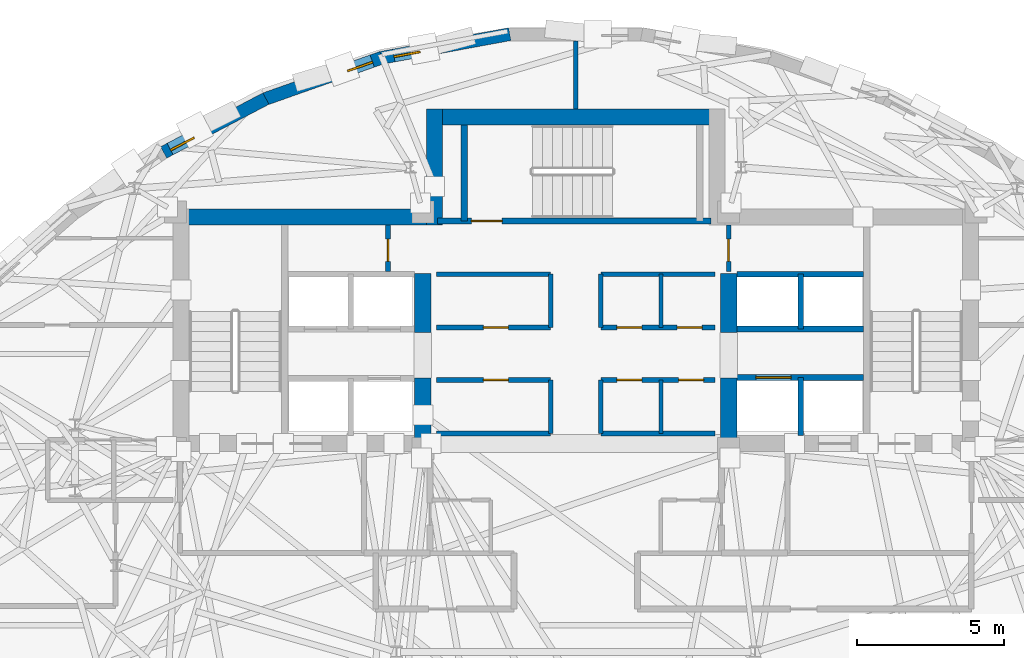
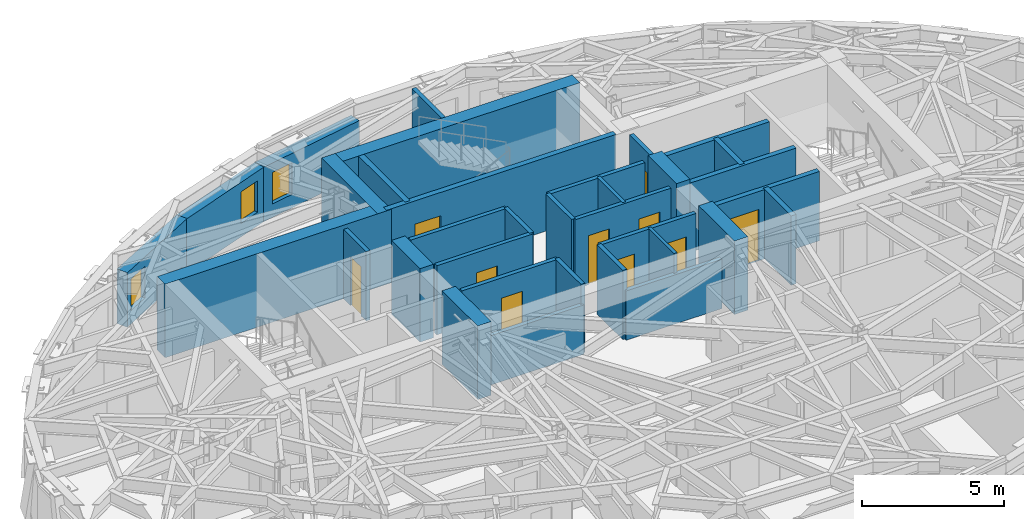
# One storey, part 8 of 13: 34 walls, 10 doors, 3 windows, 13 openings.
"""IFC4 building model written with IfcOpenShell, lengths in metres."""

from ifc_helpers import new_model, si_unit, direction, frame, frame_2d, origin, place, context, subcontext, project, spatial, rectangle, extrude, material, layer, layer_set, type_object, element, fill, save


model = new_model("IFC4")

# Units and contexts
model_context = context("Model", 3, precision=1e-05, world=origin(), true_north=direction((0.0, 1.0)))
body_context = subcontext(model_context, "Body", "Model", "MODEL_VIEW")
ifc_project = project(units=[si_unit("LENGTHUNIT", "METRE"), si_unit("AREAUNIT", "SQUARE_METRE"), si_unit("VOLUMEUNIT", "CUBIC_METRE"), si_unit("PLANEANGLEUNIT", "RADIAN"), si_unit("MASSUNIT", "GRAM", prefix="KILO")], contexts=[model_context])

# Site, building, storey
site_placement = place(None, origin())
site = spatial("IfcSite", under=ifc_project, at=site_placement, CompositionType="ELEMENT")
building_placement = place(site_placement, origin())
building = spatial("IfcBuilding", under=site, at=building_placement, Name="Keldmark Tower", CompositionType="ELEMENT")
storey_placement = place(building_placement, frame((0.0, 0.0, 219.449951171875)))
storey = spatial("IfcBuildingStorey", under=building, at=storey_placement, Name="L61", CompositionType="ELEMENT", Elevation=219.449951171875)

# Walls
ifc_material_1 = material(Name="Concrete C50/60", Category="concrete")
ifc_layer_1 = layer(ifc_material_1, 0.550048828125)
ifc_layer_set_1 = layer_set([ifc_layer_1], Name="Concrete C50/60")
wall_type_1 = type_object("IfcWallType", Name="High-Rise Core Shear Wall 550 mm", PredefinedType="SHEAR", material=ifc_layer_set_1)
wall_1_placement = place(storey_placement, frame((-13.699951171875, 9.27490234375, 0.0), z_axis=(0.0, 0.0, 1.0), x_axis=(1.0, 0.0, 0.0)))
element("IfcWall", 1, at=wall_1_placement, inside=storey, type_object=wall_type_1, Name="L61 West Core North Shear Wall", PredefinedType="SHEAR", context=body_context, shape_type="SweptSolid", body=[
    extrude(rectangle(XDim=9.175048828125, YDim=0.550048828125, at=frame_2d((4.58740234375, 0.0))), origin(), (0.0, 0.0, 1.0), 3.150146484375),
])
wall_2_placement = place(storey_placement, frame((-5.199951171875, 1.300048828125, 0.0), z_axis=(0.0, 0.0, 1.0), x_axis=(0.0, 1.0, 0.0)))
element("IfcWall", 2, at=wall_2_placement, inside=storey, type_object=wall_type_1, Name="L61 West Core Inner Shear Pier South", PredefinedType="SHEAR", context=body_context, shape_type="SweptSolid", body=[
    extrude(rectangle(XDim=2.5, YDim=0.550048828125, at=frame_2d((1.25, 0.0))), origin(), (0.0, 0.0, 1.0), 3.150146484375),
])
wall_3_placement = place(storey_placement, frame((-5.199951171875, 5.35009765625, 0.0), z_axis=(0.0, 0.0, 1.0), x_axis=(0.0, 1.0, 0.0)))
element("IfcWall", 3, at=wall_3_placement, inside=storey, type_object=wall_type_1, Name="L61 West Core Inner Shear Pier North", PredefinedType="SHEAR", context=body_context, shape_type="SweptSolid", body=[
    extrude(rectangle(XDim=2.0, YDim=0.550048828125, at=frame_2d((1.0, 0.0))), origin(), (0.0, 0.0, 1.0), 3.150146484375),
])
wall_4_placement = place(storey_placement, frame((5.199951171875, 1.300048828125, 0.0), z_axis=(0.0, 0.0, 1.0), x_axis=(0.0, 1.0, 0.0)))
element("IfcWall", 4, at=wall_4_placement, inside=storey, type_object=wall_type_1, Name="L61 East Core Inner Shear Pier South", PredefinedType="SHEAR", context=body_context, shape_type="SweptSolid", body=[
    extrude(rectangle(XDim=2.5, YDim=0.550048828125, at=frame_2d((1.25, 0.0))), origin(), (0.0, 0.0, 1.0), 3.150146484375),
])
wall_5_placement = place(storey_placement, frame((5.199951171875, 5.35009765625, 0.0), z_axis=(0.0, 0.0, 1.0), x_axis=(0.0, 1.0, 0.0)))
element("IfcWall", 5, at=wall_5_placement, inside=storey, type_object=wall_type_1, Name="L61 East Core Inner Shear Pier North", PredefinedType="SHEAR", context=body_context, shape_type="SweptSolid", body=[
    extrude(rectangle(XDim=2.0, YDim=0.550048828125, at=frame_2d((1.0, 0.0))), origin(), (0.0, 0.0, 1.0), 3.150146484375),
])
wall_6_placement = place(storey_placement, frame((-5.074951171875, 12.675048828125, 0.0), z_axis=(0.0, 0.0, 1.0), x_axis=(1.0, 0.0, 0.0)))
element("IfcWall", 6, at=wall_6_placement, inside=storey, type_object=wall_type_1, Name="L61 North Core Shear Wall", PredefinedType="SHEAR", context=body_context, shape_type="SweptSolid", body=[
    extrude(rectangle(XDim=10.14990234375, YDim=0.550048828125, at=frame_2d((5.074951171875, 0.0))), origin(), (0.0, 0.0, 1.0), 3.150146484375),
])
wall_7_placement = place(storey_placement, frame((-4.800048828125, 9.0, 0.0), z_axis=(0.0, 0.0, 1.0), x_axis=(0.0, 1.0, 0.0)))
element("IfcWall", 7, at=wall_7_placement, inside=storey, type_object=wall_type_1, Name="L61 North Core West Shear Wall", PredefinedType="SHEAR", context=body_context, shape_type="SweptSolid", body=[
    extrude(rectangle(XDim=3.949951171875, YDim=0.550048828125, at=frame_2d((1.97509765625, 0.0))), origin(), (0.0, 0.0, 1.0), 3.150146484375),
])
ifc_material_2 = material(Name="Acoustic Gypsum Board Interior Partition", Category="gypsum")
ifc_layer_2 = layer(ifc_material_2, 0.1298828125)
ifc_layer_set_2 = layer_set([ifc_layer_2], Name="Acoustic Gypsum Board Interior Partition")
wall_type_2 = type_object("IfcWallType", Name="Interior Partition 130 mm", PredefinedType="PARTITIONING", material=ifc_layer_set_2)
wall_8_placement = place(storey_placement, frame((2.89990234375, 1.919921875, 0.0), z_axis=(0.0, 0.0, 1.0), x_axis=(0.0, 1.0, 0.0)))
element("IfcWall", 8, at=wall_8_placement, inside=storey, type_object=wall_type_2, Name="L61 Interior Partition 130 mm REC-LE-M", PredefinedType="PARTITIONING", context=body_context, shape_type="SweptSolid", body=[
    extrude(rectangle(XDim=1.820068359375, YDim=0.1298828125, at=frame_2d((0.91015625, 0.0))), origin(), (0.0, 0.0, 1.0), 2.969970703125),
])
wall_9_placement = place(storey_placement, frame((2.89990234375, 5.52001953125, 0.0), z_axis=(0.0, 0.0, 1.0), x_axis=(0.0, 1.0, 0.0)))
element("IfcWall", 9, at=wall_9_placement, inside=storey, type_object=wall_type_2, Name="L61 Interior Partition 130 mm REC-ME-M", PredefinedType="PARTITIONING", context=body_context, shape_type="SweptSolid", body=[
    extrude(rectangle(XDim=1.81005859375, YDim=0.1298828125, at=frame_2d((0.905029296875, 0.0))), origin(), (0.0, 0.0, 1.0), 2.969970703125),
])
ifc_material_3 = material(Name="Type X Fire-Rated Gypsum Partition Assembly", Category="gypsum")
ifc_layer_3 = layer(ifc_material_3, 0.1650390625)
ifc_layer_set_3 = layer_set([ifc_layer_3], Name="Type X Fire-Rated Gypsum Partition Assembly")
wall_type_3 = type_object("IfcWallType", Name="Rated Partition 165 mm", PredefinedType="PARTITIONING", material=ifc_layer_set_3)
wall_10_placement = place(storey_placement, frame((-4.739990234375, 1.919921875, 0.0), z_axis=(0.0, 0.0, 1.0), x_axis=(1.0, 0.0, 0.0)))
element("IfcWall", 10, at=wall_10_placement, inside=storey, type_object=wall_type_3, Name="L61 Rated Partition 165 mm REC-LW-S", PredefinedType="PARTITIONING", context=body_context, shape_type="SweptSolid", body=[
    extrude(rectangle(XDim=3.889892578125, YDim=0.1650390625, at=frame_2d((1.94482421875, 0.0))), origin(), (0.0, 0.0, 1.0), 2.110107421875),
])

# Wall, opening, door
wall_11_placement = place(storey_placement, frame((-4.739990234375, 3.739990234375, 0.0), z_axis=(0.0, 0.0, 1.0), x_axis=(1.0, 0.0, 0.0)))
wall_11 = element("IfcWall", 11, at=wall_11_placement, inside=storey, type_object=wall_type_3, Name="L61 Rated Partition 165 mm REC-LW-N", PredefinedType="PARTITIONING", context=body_context, shape_type="SweptSolid", body=[
    extrude(rectangle(XDim=3.889892578125, YDim=0.1650390625, at=frame_2d((1.94482421875, 0.0))), origin(), (0.0, 0.0, 1.0), 2.969970703125),
])
opening_1_placement = place(wall_11_placement, frame((1.60009765625, 0.0, 0.0)))
opening_1 = element("IfcOpeningElement", 12, at=opening_1_placement, cuts=wall_11, Name="Opening D-SV085", PredefinedType="OPENING", context=body_context, shape_type="SweptSolid", body=[
    extrude(rectangle(XDim=0.85009765625, YDim=2.10009765625, at=frame_2d((0.425048828125, 1.050048828125))), frame((0.0, 0.092529296875, 0.0), z_axis=(0.0, -1.0, 0.0), x_axis=(1.0, 0.0, 0.0)), (0.0, 0.0, 1.0), 0.18505859375),
])
ifc_material_4 = material(Name="Painted Hollow Metal Door Assembly", Category="metal")
door_type_1 = type_object("IfcDoorType", Name="Service Door 850x2100", OperationType="NOTDEFINED", PredefinedType="DOOR", material=ifc_material_4)
door_1_placement = place(opening_1_placement, origin())
door_1 = element("IfcDoor", 13, at=door_1_placement, inside=storey, type_object=door_type_1, Name="L61 Service Door 850x2100 D-RECLW1-L61", OperationType="SINGLE_SWING_LEFT", OverallHeight=2.10009765625, OverallWidth=0.85009765625, PredefinedType="DOOR", context=body_context, shape_type="SweptSolid", body=[
    extrude(rectangle(XDim=0.85009765625, YDim=2.10009765625, at=frame_2d((0.425048828125, 1.050048828125))), frame((0.0, 0.02490234375, 0.0), z_axis=(0.0, -1.0, 0.0), x_axis=(1.0, 0.0, 0.0)), (0.0, 0.0, 1.0), 0.050048828125),
])
fill(opening_1, door_1)

# Walls
wall_12_placement = place(storey_placement, frame((-0.85009765625, 1.919921875, 0.0), z_axis=(0.0, 0.0, 1.0), x_axis=(0.0, 1.0, 0.0)))
element("IfcWall", 14, at=wall_12_placement, inside=storey, type_object=wall_type_3, Name="L61 Rated Partition 165 mm REC-LW-E", PredefinedType="PARTITIONING", context=body_context, shape_type="SweptSolid", body=[
    extrude(rectangle(XDim=1.820068359375, YDim=0.1650390625, at=frame_2d((0.91015625, 0.0))), origin(), (0.0, 0.0, 1.0), 2.969970703125),
])
wall_13_placement = place(storey_placement, frame((0.85009765625, 1.919921875, 0.0), z_axis=(0.0, 0.0, 1.0), x_axis=(1.0, 0.0, 0.0)))
element("IfcWall", 15, at=wall_13_placement, inside=storey, type_object=wall_type_3, Name="L61 Rated Partition 165 mm REC-LE-S", PredefinedType="PARTITIONING", context=body_context, shape_type="SweptSolid", body=[
    extrude(rectangle(XDim=3.889892578125, YDim=0.1650390625, at=frame_2d((1.94482421875, 0.0))), origin(), (0.0, 0.0, 1.0), 2.110107421875),
])

# Wall, openings, doors
wall_14_placement = place(storey_placement, frame((0.85009765625, 3.739990234375, 0.0), z_axis=(0.0, 0.0, 1.0), x_axis=(1.0, 0.0, 0.0)))
wall_14 = element("IfcWall", 16, at=wall_14_placement, inside=storey, type_object=wall_type_3, Name="L61 Rated Partition 165 mm REC-LE-N", PredefinedType="PARTITIONING", context=body_context, shape_type="SweptSolid", body=[
    extrude(rectangle(XDim=3.889892578125, YDim=0.1650390625, at=frame_2d((1.94482421875, 0.0))), origin(), (0.0, 0.0, 1.0), 2.969970703125),
])
opening_2_placement = place(wall_14_placement, frame((0.550048828125, 0.0, 0.0)))
opening_2 = element("IfcOpeningElement", 17, at=opening_2_placement, cuts=wall_14, Name="Opening D-SV085", PredefinedType="OPENING", context=body_context, shape_type="SweptSolid", body=[
    extrude(rectangle(XDim=0.85009765625, YDim=2.10009765625, at=frame_2d((0.425048828125, 1.050048828125))), frame((0.0, 0.092529296875, 0.0), z_axis=(0.0, -1.0, 0.0), x_axis=(1.0, 0.0, 0.0)), (0.0, 0.0, 1.0), 0.18505859375),
])
opening_3_placement = place(wall_14_placement, frame((2.64990234375, 0.0, 0.0)))
opening_3 = element("IfcOpeningElement", 18, at=opening_3_placement, cuts=wall_14, Name="Opening D-SV085", PredefinedType="OPENING", context=body_context, shape_type="SweptSolid", body=[
    extrude(rectangle(XDim=0.85009765625, YDim=2.10009765625, at=frame_2d((0.425048828125, 1.050048828125))), frame((0.0, 0.092529296875, 0.0), z_axis=(0.0, -1.0, 0.0), x_axis=(1.0, 0.0, 0.0)), (0.0, 0.0, 1.0), 0.18505859375),
])
door_2_placement = place(opening_2_placement, origin())
door_2 = element("IfcDoor", 19, at=door_2_placement, inside=storey, type_object=door_type_1, Name="L61 Service Door 850x2100 D-RECLE1-L61", OperationType="SINGLE_SWING_RIGHT", OverallHeight=2.10009765625, OverallWidth=0.85009765625, PredefinedType="DOOR", context=body_context, shape_type="SweptSolid", body=[
    extrude(rectangle(XDim=0.85009765625, YDim=2.10009765625, at=frame_2d((0.425048828125, 1.050048828125))), frame((0.0, 0.02490234375, 0.0), z_axis=(0.0, -1.0, 0.0), x_axis=(1.0, 0.0, 0.0)), (0.0, 0.0, 1.0), 0.050048828125),
])
fill(opening_2, door_2)
door_3_placement = place(opening_3_placement, origin())
door_3 = element("IfcDoor", 20, at=door_3_placement, inside=storey, type_object=door_type_1, Name="L61 Service Door 850x2100 D-RECLE2-L61", OperationType="SINGLE_SWING_RIGHT", OverallHeight=2.10009765625, OverallWidth=0.85009765625, PredefinedType="DOOR", context=body_context, shape_type="SweptSolid", body=[
    extrude(rectangle(XDim=0.85009765625, YDim=2.10009765625, at=frame_2d((0.425048828125, 1.050048828125))), frame((0.0, 0.02490234375, 0.0), z_axis=(0.0, -1.0, 0.0), x_axis=(1.0, 0.0, 0.0)), (0.0, 0.0, 1.0), 0.050048828125),
])
fill(opening_3, door_3)

# Wall
wall_15_placement = place(storey_placement, frame((0.85009765625, 1.919921875, 0.0), z_axis=(0.0, 0.0, 1.0), x_axis=(0.0, 1.0, 0.0)))
element("IfcWall", 21, at=wall_15_placement, inside=storey, type_object=wall_type_3, Name="L61 Rated Partition 165 mm REC-LE-W", PredefinedType="PARTITIONING", context=body_context, shape_type="SweptSolid", body=[
    extrude(rectangle(XDim=1.820068359375, YDim=0.1650390625, at=frame_2d((0.91015625, 0.0))), origin(), (0.0, 0.0, 1.0), 2.969970703125),
])

# Wall, opening, door
wall_16_placement = place(storey_placement, frame((-4.739990234375, 5.52001953125, 0.0), z_axis=(0.0, 0.0, 1.0), x_axis=(1.0, 0.0, 0.0)))
wall_16 = element("IfcWall", 22, at=wall_16_placement, inside=storey, type_object=wall_type_3, Name="L61 Rated Partition 165 mm REC-MW-S", PredefinedType="PARTITIONING", context=body_context, shape_type="SweptSolid", body=[
    extrude(rectangle(XDim=3.889892578125, YDim=0.1650390625, at=frame_2d((1.94482421875, 0.0))), origin(), (0.0, 0.0, 1.0), 2.969970703125),
])
opening_4_placement = place(wall_16_placement, frame((1.60009765625, 0.0, 0.0)))
opening_4 = element("IfcOpeningElement", 23, at=opening_4_placement, cuts=wall_16, Name="Opening D-SV085", PredefinedType="OPENING", context=body_context, shape_type="SweptSolid", body=[
    extrude(rectangle(XDim=0.85009765625, YDim=2.10009765625, at=frame_2d((0.425048828125, 1.050048828125))), frame((0.0, 0.092529296875, 0.0), z_axis=(0.0, -1.0, 0.0), x_axis=(1.0, 0.0, 0.0)), (0.0, 0.0, 1.0), 0.18505859375),
])
door_4_placement = place(opening_4_placement, origin())
door_4 = element("IfcDoor", 24, at=door_4_placement, inside=storey, type_object=door_type_1, Name="L61 Service Door 850x2100 D-RECMW1-L61", OperationType="SINGLE_SWING_LEFT", OverallHeight=2.10009765625, OverallWidth=0.85009765625, PredefinedType="DOOR", context=body_context, shape_type="SweptSolid", body=[
    extrude(rectangle(XDim=0.85009765625, YDim=2.10009765625, at=frame_2d((0.425048828125, 1.050048828125))), frame((0.0, 0.02490234375, 0.0), z_axis=(0.0, -1.0, 0.0), x_axis=(1.0, 0.0, 0.0)), (0.0, 0.0, 1.0), 0.050048828125),
])
fill(opening_4, door_4)

# Walls
wall_17_placement = place(storey_placement, frame((-4.739990234375, 7.330078125, 0.0), z_axis=(0.0, 0.0, 1.0), x_axis=(1.0, 0.0, 0.0)))
element("IfcWall", 25, at=wall_17_placement, inside=storey, type_object=wall_type_3, Name="L61 Rated Partition 165 mm REC-MW-N", PredefinedType="PARTITIONING", context=body_context, shape_type="SweptSolid", body=[
    extrude(rectangle(XDim=3.889892578125, YDim=0.1650390625, at=frame_2d((1.94482421875, 0.0))), origin(), (0.0, 0.0, 1.0), 2.969970703125),
])
wall_18_placement = place(storey_placement, frame((-0.85009765625, 5.52001953125, 0.0), z_axis=(0.0, 0.0, 1.0), x_axis=(0.0, 1.0, 0.0)))
element("IfcWall", 26, at=wall_18_placement, inside=storey, type_object=wall_type_3, Name="L61 Rated Partition 165 mm REC-MW-E", PredefinedType="PARTITIONING", context=body_context, shape_type="SweptSolid", body=[
    extrude(rectangle(XDim=1.81005859375, YDim=0.1650390625, at=frame_2d((0.905029296875, 0.0))), origin(), (0.0, 0.0, 1.0), 2.969970703125),
])

# Wall, openings, doors
wall_19_placement = place(storey_placement, frame((0.85009765625, 5.52001953125, 0.0), z_axis=(0.0, 0.0, 1.0), x_axis=(1.0, 0.0, 0.0)))
wall_19 = element("IfcWall", 27, at=wall_19_placement, inside=storey, type_object=wall_type_3, Name="L61 Rated Partition 165 mm REC-ME-S", PredefinedType="PARTITIONING", context=body_context, shape_type="SweptSolid", body=[
    extrude(rectangle(XDim=3.889892578125, YDim=0.1650390625, at=frame_2d((1.94482421875, 0.0))), origin(), (0.0, 0.0, 1.0), 2.969970703125),
])
opening_5_placement = place(wall_19_placement, frame((0.550048828125, 0.0, 0.0)))
opening_5 = element("IfcOpeningElement", 28, at=opening_5_placement, cuts=wall_19, Name="Opening D-SV085", PredefinedType="OPENING", context=body_context, shape_type="SweptSolid", body=[
    extrude(rectangle(XDim=0.85009765625, YDim=2.10009765625, at=frame_2d((0.425048828125, 1.050048828125))), frame((0.0, 0.092529296875, 0.0), z_axis=(0.0, -1.0, 0.0), x_axis=(1.0, 0.0, 0.0)), (0.0, 0.0, 1.0), 0.18505859375),
])
opening_6_placement = place(wall_19_placement, frame((2.60009765625, 0.0, 0.0)))
opening_6 = element("IfcOpeningElement", 29, at=opening_6_placement, cuts=wall_19, Name="Opening D-SV085", PredefinedType="OPENING", context=body_context, shape_type="SweptSolid", body=[
    extrude(rectangle(XDim=0.85009765625, YDim=2.10009765625, at=frame_2d((0.425048828125, 1.050048828125))), frame((0.0, 0.092529296875, 0.0), z_axis=(0.0, -1.0, 0.0), x_axis=(1.0, 0.0, 0.0)), (0.0, 0.0, 1.0), 0.18505859375),
])
door_5_placement = place(opening_5_placement, origin())
door_5 = element("IfcDoor", 30, at=door_5_placement, inside=storey, type_object=door_type_1, Name="L61 Service Door 850x2100 D-RECME1-L61", OperationType="SINGLE_SWING_LEFT", OverallHeight=2.10009765625, OverallWidth=0.85009765625, PredefinedType="DOOR", context=body_context, shape_type="SweptSolid", body=[
    extrude(rectangle(XDim=0.85009765625, YDim=2.10009765625, at=frame_2d((0.425048828125, 1.050048828125))), frame((0.0, 0.02490234375, 0.0), z_axis=(0.0, -1.0, 0.0), x_axis=(1.0, 0.0, 0.0)), (0.0, 0.0, 1.0), 0.050048828125),
])
fill(opening_5, door_5)
door_6_placement = place(opening_6_placement, origin())
door_6 = element("IfcDoor", 31, at=door_6_placement, inside=storey, type_object=door_type_1, Name="L61 Service Door 850x2100 D-RECME2-L61", OperationType="SINGLE_SWING_RIGHT", OverallHeight=2.10009765625, OverallWidth=0.85009765625, PredefinedType="DOOR", context=body_context, shape_type="SweptSolid", body=[
    extrude(rectangle(XDim=0.85009765625, YDim=2.10009765625, at=frame_2d((0.425048828125, 1.050048828125))), frame((0.0, 0.02490234375, 0.0), z_axis=(0.0, -1.0, 0.0), x_axis=(1.0, 0.0, 0.0)), (0.0, 0.0, 1.0), 0.050048828125),
])
fill(opening_6, door_6)

# Walls
wall_20_placement = place(storey_placement, frame((0.85009765625, 7.330078125, 0.0), z_axis=(0.0, 0.0, 1.0), x_axis=(1.0, 0.0, 0.0)))
element("IfcWall", 32, at=wall_20_placement, inside=storey, type_object=wall_type_3, Name="L61 Rated Partition 165 mm REC-ME-N", PredefinedType="PARTITIONING", context=body_context, shape_type="SweptSolid", body=[
    extrude(rectangle(XDim=3.889892578125, YDim=0.1650390625, at=frame_2d((1.94482421875, 0.0))), origin(), (0.0, 0.0, 1.0), 2.969970703125),
])
wall_21_placement = place(storey_placement, frame((0.85009765625, 5.52001953125, 0.0), z_axis=(0.0, 0.0, 1.0), x_axis=(0.0, 1.0, 0.0)))
element("IfcWall", 33, at=wall_21_placement, inside=storey, type_object=wall_type_3, Name="L61 Rated Partition 165 mm REC-ME-W", PredefinedType="PARTITIONING", context=body_context, shape_type="SweptSolid", body=[
    extrude(rectangle(XDim=1.81005859375, YDim=0.1650390625, at=frame_2d((0.905029296875, 0.0))), origin(), (0.0, 0.0, 1.0), 2.969970703125),
])

# Wall, opening, door
wall_22_placement = place(storey_placement, frame((-6.3798828125, 7.419921875, 0.0), z_axis=(0.0, 0.0, 1.0), x_axis=(0.0, 1.0, 0.0)))
wall_22 = element("IfcWall", 34, at=wall_22_placement, inside=storey, type_object=wall_type_3, Name="L61 Rated Partition 165 mm CS-NW-E", PredefinedType="PARTITIONING", context=body_context, shape_type="SweptSolid", body=[
    extrude(rectangle(XDim=1.580078125, YDim=0.1650390625, at=frame_2d((0.7900390625, 0.0))), origin(), (0.0, 0.0, 1.0), 2.969970703125),
])
opening_7_placement = place(wall_22_placement, frame((0.35009765625, 0.0, 0.0)))
opening_7 = element("IfcOpeningElement", 35, at=opening_7_placement, cuts=wall_22, Name="Opening D-RS075", PredefinedType="OPENING", context=body_context, shape_type="SweptSolid", body=[
    extrude(rectangle(XDim=0.75, YDim=2.10009765625, at=frame_2d((0.375, 1.050048828125))), frame((0.0, 0.092529296875, 0.0), z_axis=(0.0, -1.0, 0.0), x_axis=(1.0, 0.0, 0.0)), (0.0, 0.0, 1.0), 0.18505859375),
])
ifc_material_5 = material(Name="Galvanized Fire-Rated Access Leaf", Category="metal")
door_type_2 = type_object("IfcDoorType", Name="Riser Access Door 750x2100", OperationType="NOTDEFINED", PredefinedType="DOOR", material=ifc_material_5)
door_7_placement = place(opening_7_placement, origin())
door_7 = element("IfcDoor", 36, at=door_7_placement, inside=storey, type_object=door_type_2, Name="L61 Riser Access Door 750x2100 D-CSNW1-L61", OperationType="SINGLE_SWING_RIGHT", OverallHeight=2.10009765625, OverallWidth=0.75, PredefinedType="DOOR", context=body_context, shape_type="SweptSolid", body=[
    extrude(rectangle(XDim=0.75, YDim=2.10009765625, at=frame_2d((0.375, 1.050048828125))), frame((0.0, 0.02490234375, 0.0), z_axis=(0.0, -1.0, 0.0), x_axis=(1.0, 0.0, 0.0)), (0.0, 0.0, 1.0), 0.050048828125),
])
fill(opening_7, door_7)

wall_23_placement = place(storey_placement, frame((5.199951171875, 7.419921875, 0.0), z_axis=(0.0, 0.0, 1.0), x_axis=(0.0, 1.0, 0.0)))
wall_23 = element("IfcWall", 37, at=wall_23_placement, inside=storey, type_object=wall_type_3, Name="L61 Rated Partition 165 mm CS-NE-W", PredefinedType="PARTITIONING", context=body_context, shape_type="SweptSolid", body=[
    extrude(rectangle(XDim=1.580078125, YDim=0.1650390625, at=frame_2d((0.7900390625, 0.0))), origin(), (0.0, 0.0, 1.0), 2.969970703125),
])
opening_8_placement = place(wall_23_placement, frame((0.35009765625, 0.0, 0.0)))
opening_8 = element("IfcOpeningElement", 38, at=opening_8_placement, cuts=wall_23, Name="Opening D-RS075", PredefinedType="OPENING", context=body_context, shape_type="SweptSolid", body=[
    extrude(rectangle(XDim=0.75, YDim=2.10009765625, at=frame_2d((0.375, 1.050048828125))), frame((0.0, 0.092529296875, 0.0), z_axis=(0.0, -1.0, 0.0), x_axis=(1.0, 0.0, 0.0)), (0.0, 0.0, 1.0), 0.18505859375),
])
door_8_placement = place(opening_8_placement, origin())
door_8 = element("IfcDoor", 39, at=door_8_placement, inside=storey, type_object=door_type_2, Name="L61 Riser Access Door 750x2100 D-CSNE1-L61", OperationType="SINGLE_SWING_LEFT", OverallHeight=2.10009765625, OverallWidth=0.75, PredefinedType="DOOR", context=body_context, shape_type="SweptSolid", body=[
    extrude(rectangle(XDim=0.75, YDim=2.10009765625, at=frame_2d((0.375, 1.050048828125))), frame((0.0, 0.02490234375, 0.0), z_axis=(0.0, -1.0, 0.0), x_axis=(1.0, 0.0, 0.0)), (0.0, 0.0, 1.0), 0.050048828125),
])
fill(opening_8, door_8)

# Wall
wall_24_placement = place(storey_placement, frame((0.0, 12.949951171875, 0.0), z_axis=(0.0, 0.0, 1.0), x_axis=(0.0, 1.0, 0.0)))
element("IfcWall", 40, at=wall_24_placement, inside=storey, type_object=wall_type_3, Name="L61 Rated Partition 165 mm RN-DIV", PredefinedType="PARTITIONING", context=body_context, shape_type="SweptSolid", body=[
    extrude(rectangle(XDim=2.308837890625, YDim=0.1650390625, at=frame_2d((1.154296875, 0.0))), origin(), (0.0, 0.0, 1.0), 2.969970703125),
])

# Wall, opening, door
ifc_material_6 = material(Name="Fire-Resistant Type X Gypsum Shaftliner Coreboard", Category="gypsum")
ifc_layer_4 = layer(ifc_material_6, 0.199951171875)
ifc_layer_set_4 = layer_set([ifc_layer_4], Name="Fire-Resistant Type X Gypsum Shaftliner Coreboard")
wall_type_4 = type_object("IfcWallType", Name="Shaft Wall 200 mm", PredefinedType="SOLIDWALL", material=ifc_layer_set_4)
wall_25_placement = place(storey_placement, frame((5.47509765625, 3.820068359375, 0.0), z_axis=(0.0, 0.0, 1.0), x_axis=(1.0, 0.0, 0.0)))
wall_25 = element("IfcWall", 41, at=wall_25_placement, inside=storey, type_object=wall_type_4, Name="L61 Shaft Wall 200 mm HW-E-S", PredefinedType="SOLIDWALL", context=body_context, shape_type="SweptSolid", body=[
    extrude(rectangle(XDim=4.304931640625, YDim=0.199951171875, at=frame_2d((2.15234375, 0.0))), origin(), (0.0, 0.0, 1.0), 2.969970703125),
])
opening_9_placement = place(wall_25_placement, frame((0.64990234375, 0.0, 0.0)))
opening_9 = element("IfcOpeningElement", 42, at=opening_9_placement, cuts=wall_25, Name="Opening LD-120", PredefinedType="OPENING", context=body_context, shape_type="SweptSolid", body=[
    extrude(rectangle(XDim=1.199951171875, YDim=2.199951171875, at=frame_2d((0.60009765625, 1.10009765625))), frame((0.0, 0.10986328125, 0.0), z_axis=(0.0, -1.0, 0.0), x_axis=(1.0, 0.0, 0.0)), (0.0, 0.0, 1.0), 0.219970703125),
])
ifc_material_7 = material(Name="Heavy-Duty Brushed Metal Hoistway Sliding Leaf", Category="metal")
door_type_3 = type_object("IfcDoorType", Name="Service Lift Sliding Door 1200x2200", OperationType="SLIDING_TO_RIGHT", PredefinedType="DOOR", material=ifc_material_7)
door_9_placement = place(opening_9_placement, origin())
door_9 = element("IfcDoor", 43, at=door_9_placement, inside=storey, type_object=door_type_3, Name="L61 Service Lift Sliding Door 1200x2200 LD-EL-SV1-L61", OperationType="SLIDING_TO_RIGHT", OverallHeight=2.199951171875, OverallWidth=1.199951171875, PredefinedType="DOOR", context=body_context, shape_type="SweptSolid", body=[
    extrude(rectangle(XDim=1.199951171875, YDim=2.199951171875, at=frame_2d((0.60009765625, 1.10009765625))), frame((0.0, 0.02490234375, 0.0), z_axis=(0.0, -1.0, 0.0), x_axis=(1.0, 0.0, 0.0)), (0.0, 0.0, 1.0), 0.050048828125),
])
fill(opening_9, door_9)

# Walls
wall_26_placement = place(storey_placement, frame((7.64990234375, 1.85009765625, 0.0), z_axis=(0.0, 0.0, 1.0), x_axis=(0.0, 1.0, 0.0)))
element("IfcWall", 44, at=wall_26_placement, inside=storey, type_object=wall_type_4, Name="L61 Shaft Wall 200 mm HW-E-M", PredefinedType="SOLIDWALL", context=body_context, shape_type="SweptSolid", body=[
    extrude(rectangle(XDim=1.969970703125, YDim=0.199951171875, at=frame_2d((0.98486328125, 0.0))), origin(), (0.0, 0.0, 1.0), 2.969970703125),
])
for number, where, z_axis, x_axis, name in (
    (45, (5.47509765625, 5.469970703125, 0.0), (0.0, 0.0, 1.0), (1.0, 0.0, 0.0), "L61 Shaft Wall 200 mm HW-E-N"),
    (46, (5.47509765625, 7.330078125, 0.0), (0.0, 0.0, 1.0), (1.0, 0.0, 0.0), "L61 Shaft Wall 200 mm HW-E-TOP"),
):
    element("IfcWall", number, at=place(storey_placement, frame(where, z_axis=z_axis, x_axis=x_axis)), inside=storey, type_object=wall_type_4, Name=name, PredefinedType="SOLIDWALL", context=body_context, shape_type="SweptSolid", body=[
        extrude(rectangle(XDim=4.304931640625, YDim=0.199951171875, at=frame_2d((2.15234375, 0.0))), origin(), (0.0, 0.0, 1.0), 2.969970703125),
    ])
wall_27_placement = place(storey_placement, frame((7.64990234375, 5.469970703125, 0.0), z_axis=(0.0, 0.0, 1.0), x_axis=(0.0, 1.0, 0.0)))
element("IfcWall", 47, at=wall_27_placement, inside=storey, type_object=wall_type_4, Name="L61 Shaft Wall 200 mm HW-E-NM", PredefinedType="SOLIDWALL", context=body_context, shape_type="SweptSolid", body=[
    extrude(rectangle(XDim=1.860107421875, YDim=0.199951171875, at=frame_2d((0.93017578125, 0.0))), origin(), (0.0, 0.0, 1.0), 2.969970703125),
])

# Wall, opening, door
ifc_material_8 = material(Name="Concrete C50/60", Category="concrete")
ifc_layer_5 = layer(ifc_material_8, 0.219970703125)
ifc_layer_set_5 = layer_set([ifc_layer_5], Name="Concrete C50/60")
wall_type_5 = type_object("IfcWallType", Name="Stair Core Shear Wall 220 mm", PredefinedType="SHEAR", material=ifc_layer_set_5)
wall_28_placement = place(storey_placement, frame((-4.699951171875, 9.139892578125, 0.0), z_axis=(0.0, 0.0, 1.0), x_axis=(1.0, 0.0, 0.0)))
wall_28 = element("IfcWall", 48, at=wall_28_placement, inside=storey, type_object=wall_type_5, Name="L61 Central Stair Core South Shear Wall", PredefinedType="SHEAR", context=body_context, shape_type="SweptSolid", body=[
    extrude(rectangle(XDim=9.300048828125, YDim=0.219970703125, at=frame_2d((4.64990234375, 0.0))), origin(), (0.0, 0.0, 1.0), 3.150146484375),
])
opening_10_placement = place(wall_28_placement, frame((1.14990234375, 0.0, 0.0)))
opening_10 = element("IfcOpeningElement", 49, at=opening_10_placement, cuts=wall_28, Name="Opening D-ST105", PredefinedType="OPENING", context=body_context, shape_type="SweptSolid", body=[
    extrude(rectangle(XDim=1.050048828125, YDim=2.14990234375, at=frame_2d((0.52490234375, 1.074951171875))), frame((0.0, 0.119873046875, 0.0), z_axis=(0.0, -1.0, 0.0), x_axis=(1.0, 0.0, 0.0)), (0.0, 0.0, 1.0), 0.239990234375),
])
ifc_material_9 = material(Name="Hollow Metal Fire-Rated Door Assembly", Category="metal")
door_type_4 = type_object("IfcDoorType", Name="Stair Fire Door 1050x2150", OperationType="NOTDEFINED", PredefinedType="DOOR", material=ifc_material_9)
door_10_placement = place(opening_10_placement, origin())
door_10 = element("IfcDoor", 50, at=door_10_placement, inside=storey, type_object=door_type_4, Name="L61 Stair Fire Door 1050x2150 D-ST3-L61", OperationType="SINGLE_SWING_LEFT", OverallHeight=2.14990234375, OverallWidth=1.050048828125, PredefinedType="DOOR", context=body_context, shape_type="SweptSolid", body=[
    extrude(rectangle(XDim=1.050048828125, YDim=2.14990234375, at=frame_2d((0.52490234375, 1.074951171875))), frame((0.0, 0.02490234375, 0.0), z_axis=(0.0, -1.0, 0.0), x_axis=(1.0, 0.0, 0.0)), (0.0, 0.0, 1.0), 0.050048828125),
])
fill(opening_10, door_10)

# Wall
wall_29_placement = place(storey_placement, frame((-3.784912109375, 9.139892578125, 0.0), z_axis=(0.0, 0.0, 1.0), x_axis=(0.0, 1.0, 0.0)))
element("IfcWall", 51, at=wall_29_placement, inside=storey, type_object=wall_type_5, Name="L61 Central Stair Core West Shear Wall", PredefinedType="SHEAR", context=body_context, shape_type="SweptSolid", body=[
    extrude(rectangle(XDim=3.260009765625, YDim=0.219970703125, at=frame_2d((1.6298828125, 0.0))), origin(), (0.0, 0.0, 1.0), 3.150146484375),
])

# Wall, opening, window
ifc_material_10 = material(Name="Ironspot Manganese Brick and Kasota Buff Limestone Spandrel Assembly", Category="masonry")
ifc_layer_6 = layer(ifc_material_10, 0.43994140625)
ifc_layer_set_6 = layer_set([ifc_layer_6], Name="Ironspot Manganese Brick and Kasota Buff Limestone Spandrel Assembly")
wall_type_6 = type_object("IfcWallType", Name="Tower Brick Pier and Spandrel Wall 440 mm", PredefinedType="STANDARD", material=ifc_layer_set_6)
wall_30_placement = place(storey_placement, frame((-6.625, 14.68408203125, 0.0), z_axis=(0.0, 0.0, 1.0), x_axis=(0.983508612793, 0.180861296472, 0.0)))
wall_30 = element("IfcWall", 52, at=wall_30_placement, inside=storey, type_object=wall_type_6, Name="L61 Exterior Brick and Spandrel Wall 09", PredefinedType="STANDARD", context=body_context, shape_type="SweptSolid", body=[
    extrude(rectangle(XDim=4.457275390625, YDim=0.43994140625, at=frame_2d((2.228515625, 0.0))), origin(), (0.0, 0.0, 1.0), 2.3359375),
])
opening_11_placement = place(wall_30_placement, frame((0.44677734375, 0.0, 0.580078125)))
opening_11 = element("IfcOpeningElement", 53, at=opening_11_placement, cuts=wall_30, Name="Opening W-09", PredefinedType="OPENING", context=body_context, shape_type="SweptSolid", body=[
    extrude(rectangle(XDim=0.89990234375, YDim=1.35009765625, at=frame_2d((0.449951171875, 0.675048828125))), frame((0.0, 0.22998046875, 0.0), z_axis=(0.0, -1.0, 0.0), x_axis=(1.0, 0.0, 0.0)), (0.0, 0.0, 1.0), 0.4599609375),
])
ifc_material_11 = material(Name="Thermally Broken Anodized Aluminum and Triple Low-E Argon Glazing", Category="aluminium")
window_type = type_object("IfcWindowType", Name="Corner Pier Deep-Set Window 900x1350", PartitioningType="SINGLE_PANEL", PredefinedType="WINDOW", material=ifc_material_11)
window_1_placement = place(opening_11_placement, origin())
window_1 = element("IfcWindow", 54, at=window_1_placement, inside=storey, type_object=window_type, Name="L61 Deep-Set Window 09", OverallHeight=1.35009765625, OverallWidth=0.89990234375, PartitioningType="SINGLE_PANEL", PredefinedType="WINDOW", context=body_context, shape_type="SweptSolid", body=[
    extrude(rectangle(XDim=0.89990234375, YDim=1.35009765625, at=frame_2d((0.449951171875, 0.675048828125))), frame((0.0, -0.010009765625, 0.0), z_axis=(0.0, -1.0, 0.0), x_axis=(1.0, 0.0, 0.0)), (0.0, 0.0, 1.0), 0.06005859375),
])
fill(opening_11, window_1)

wall_31_placement = place(storey_placement, frame((-10.5615234375, 13.286865234375, 0.0), z_axis=(0.0, 0.0, 1.0), x_axis=(0.942617344196, 0.333875040128, 0.0)))
wall_31 = element("IfcWall", 55, at=wall_31_placement, inside=storey, type_object=wall_type_6, Name="L61 Exterior Brick and Spandrel Wall 10", PredefinedType="STANDARD", context=body_context, shape_type="SweptSolid", body=[
    extrude(rectangle(XDim=4.2119140625, YDim=0.43994140625, at=frame_2d((2.10595703125, 0.0))), origin(), (0.0, 0.0, 1.0), 2.3359375),
])
opening_12_placement = place(wall_31_placement, frame((2.964111328125, 0.0, 0.580078125)))
opening_12 = element("IfcOpeningElement", 56, at=opening_12_placement, cuts=wall_31, Name="Opening W-09", PredefinedType="OPENING", context=body_context, shape_type="SweptSolid", body=[
    extrude(rectangle(XDim=0.89990234375, YDim=1.35009765625, at=frame_2d((0.449951171875, 0.675048828125))), frame((0.0, 0.22998046875, 0.0), z_axis=(0.0, -1.0, 0.0), x_axis=(1.0, 0.0, 0.0)), (0.0, 0.0, 1.0), 0.4599609375),
])
window_2_placement = place(opening_12_placement, origin())
window_2 = element("IfcWindow", 57, at=window_2_placement, inside=storey, type_object=window_type, Name="L61 Deep-Set Window 10", OverallHeight=1.35009765625, OverallWidth=0.89990234375, PartitioningType="SINGLE_PANEL", PredefinedType="WINDOW", context=body_context, shape_type="SweptSolid", body=[
    extrude(rectangle(XDim=0.89990234375, YDim=1.35009765625, at=frame_2d((0.449951171875, 0.675048828125))), frame((0.0, -0.010009765625, 0.0), z_axis=(0.0, -1.0, 0.0), x_axis=(1.0, 0.0, 0.0)), (0.0, 0.0, 1.0), 0.06005859375),
])
fill(opening_12, window_2)

wall_32_placement = place(storey_placement, frame((-14.01220703125, 11.469482421875, 0.0), z_axis=(0.0, 0.0, 1.0), x_axis=(0.885047506895, 0.465500709493, 0.0)))
wall_32 = element("IfcWall", 58, at=wall_32_placement, inside=storey, type_object=wall_type_6, Name="L61 Exterior Brick and Spandrel Wall 11", PredefinedType="STANDARD", context=body_context, shape_type="SweptSolid", body=[
    extrude(rectangle(XDim=3.931396484375, YDim=0.43994140625, at=frame_2d((1.9658203125, 0.0))), origin(), (0.0, 0.0, 1.0), 2.3359375),
])
opening_13_placement = place(wall_32_placement, frame((0.24951171875, 0.0, 0.580078125)))
opening_13 = element("IfcOpeningElement", 59, at=opening_13_placement, cuts=wall_32, Name="Opening W-09", PredefinedType="OPENING", context=body_context, shape_type="SweptSolid", body=[
    extrude(rectangle(XDim=0.89990234375, YDim=1.35009765625, at=frame_2d((0.449951171875, 0.675048828125))), frame((0.0, 0.22998046875, 0.0), z_axis=(0.0, -1.0, 0.0), x_axis=(1.0, 0.0, 0.0)), (0.0, 0.0, 1.0), 0.4599609375),
])
window_3_placement = place(opening_13_placement, origin())
window_3 = element("IfcWindow", 60, at=window_3_placement, inside=storey, type_object=window_type, Name="L61 Deep-Set Window 11", OverallHeight=1.35009765625, OverallWidth=0.89990234375, PartitioningType="SINGLE_PANEL", PredefinedType="WINDOW", context=body_context, shape_type="SweptSolid", body=[
    extrude(rectangle(XDim=0.89990234375, YDim=1.35009765625, at=frame_2d((0.449951171875, 0.675048828125))), frame((0.0, -0.010009765625, 0.0), z_axis=(0.0, -1.0, 0.0), x_axis=(1.0, 0.0, 0.0)), (0.0, 0.0, 1.0), 0.06005859375),
])
fill(opening_13, window_3)

save(model, "model.ifc")
